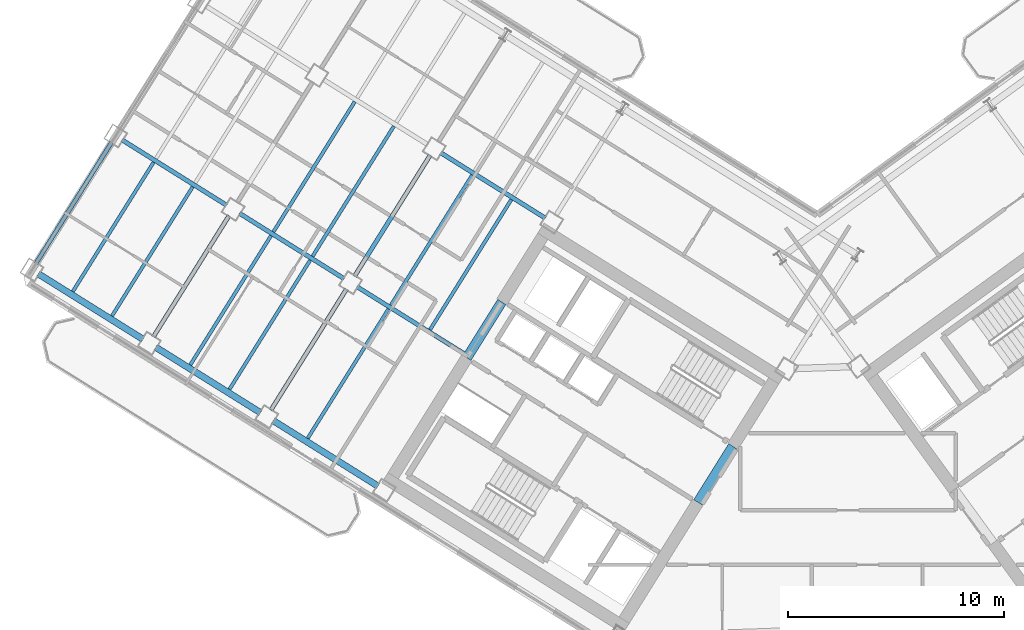
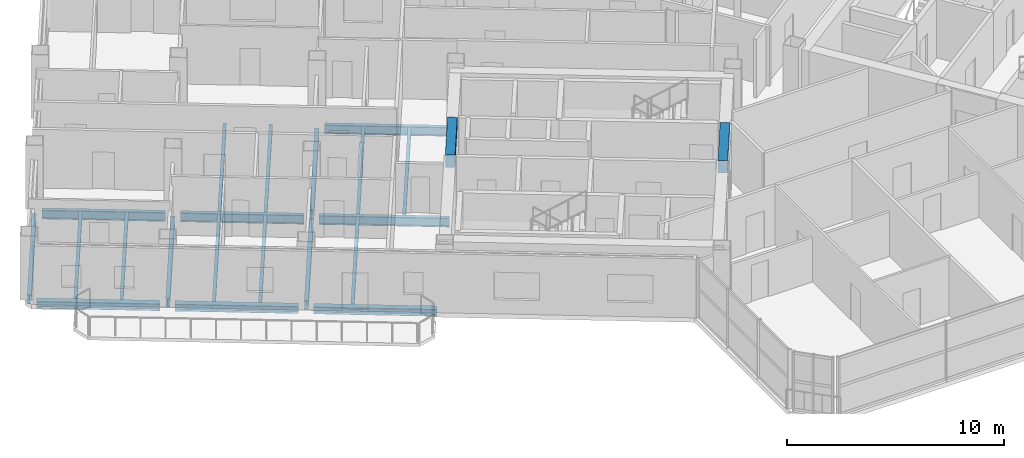
# One storey, part 5 of 21: 22 beams.
"""IFC4 building model written with IfcOpenShell, lengths in metres."""

from ifc_helpers import new_model, si_unit, direction, frame, origin, origin_2d, place, context, subcontext, project, spatial, rectangle, i_section, extrude, source, transform, mapped, material, material_profile, profile_set, type_object, element, save


model = new_model("IFC4")

# Units and contexts
model_context = context("Model", 3, precision=1e-05, world=origin(), true_north=direction((0.0, 1.0)))
body_context = subcontext(model_context, "Body", "Model", "MODEL_VIEW")
ifc_project = project(units=[si_unit("LENGTHUNIT", "METRE"), si_unit("AREAUNIT", "SQUARE_METRE"), si_unit("VOLUMEUNIT", "CUBIC_METRE"), si_unit("PLANEANGLEUNIT", "RADIAN"), si_unit("MASSUNIT", "GRAM", prefix="KILO")], contexts=[model_context])

# Site, building, storey
site_placement = place(None, origin())
site = spatial("IfcSite", under=ifc_project, at=site_placement, CompositionType="ELEMENT")
building_placement = place(site_placement, origin())
building = spatial("IfcBuilding", under=site, at=building_placement, Name="Tlacorven Tower", CompositionType="ELEMENT")
storey_placement = place(building_placement, frame((0.0, 0.0, 191.39990234375)))
storey = spatial("IfcBuildingStorey", under=building, at=storey_placement, Name="L48", CompositionType="ELEMENT", Elevation=191.39990234375)

# Beams
ifc_material_1 = material(Name="Concrete C60/75", Category="concrete")
ifc_material_profile_1 = material_profile(ifc_material_1, rectangle(XDim=0.449951171875, YDim=0.699951171875, at=origin_2d()), Name="RC 450X700")
ifc_profile_set_1 = profile_set([ifc_material_profile_1], Name="Concrete C60/75")
beam_type_1 = type_object("IfcBeamType", Name="BM-LNT-700", PredefinedType="LINTEL", material=ifc_profile_set_1)
shared_shape_1 = source(origin(), body_context, "Body", "SweptSolid", [
    extrude(rectangle(XDim=0.449951171875, YDim=0.699951171875, at=origin_2d()), origin(), (0.0, 0.0, 1.0), 3.050048828125),
])
beam_1_placement = place(storey_placement, frame((38.2998046875, 20.890625, 2.97021484375), z_axis=(-0.529984549635, -0.848007297815, 0.0), x_axis=(0.848007297815, -0.529984549635, 0.0)))
element("IfcBeam", 1, at=beam_1_placement, inside=storey, type_object=beam_type_1, Name="L48 W core coupling lintel beam E1", PredefinedType="LINTEL", context=body_context, shape_type="MappedRepresentation", body=[
    mapped(shared_shape_1, transform((0.0, 0.0, 0.0), scale=1.0)),
])
shared_shape_2 = source(origin(), body_context, "Body", "SweptSolid", [
    extrude(rectangle(XDim=0.449951171875, YDim=0.699951171875, at=origin_2d()), origin(), (0.0, 0.0, 1.0), 3.0498046875),
])
beam_2_placement = place(storey_placement, frame((27.622802734375, 27.562255859375, 2.97021484375), z_axis=(-0.529926983584, -0.848043272522, 0.0), x_axis=(0.848043272522, -0.529926983584, 0.0)))
element("IfcBeam", 2, at=beam_2_placement, inside=storey, type_object=beam_type_1, Name="L48 W core coupling lintel beam E2", PredefinedType="LINTEL", context=body_context, shape_type="MappedRepresentation", body=[
    mapped(shared_shape_2, transform((0.0, 0.0, 0.0), scale=1.0)),
])
ifc_material_2 = material(Name="Steel S355J2", Category="steel")
ifc_material_profile_2 = material_profile(ifc_material_2, i_section(OverallWidth=0.199951171875, OverallDepth=0.5, WebThickness=0.01025390625, FlangeThickness=0.01611328125, at=origin_2d()), Name="IPE 500")
ifc_profile_set_2 = profile_set([ifc_material_profile_2], Name="Steel S355J2")
beam_type_2 = type_object("IfcBeamType", Name="BM-TWR-500", PredefinedType="BEAM", material=ifc_profile_set_2)
shared_shape_3 = source(origin(), body_context, "Body", "SweptSolid", [
    extrude(i_section(OverallWidth=0.199951171875, OverallDepth=0.5, WebThickness=0.01025390625, FlangeThickness=0.01611328125, at=origin_2d()), origin(), (0.0, 0.0, 1.0), 6.010009765625),
])
beam_3_placement = place(storey_placement, frame((26.025634765625, 25.081787109375, -0.5), z_axis=(-0.848043944584, 0.529925908081, 0.0), x_axis=(-0.529925908081, -0.848043944584, 0.0)))
element("IfcBeam", 3, at=beam_3_placement, inside=storey, type_object=beam_type_2, Name="L48 beam BM-L48-WL3-3", PredefinedType="BEAM", context=body_context, shape_type="MappedRepresentation", body=[
    mapped(shared_shape_3, transform((0.0, 0.0, 0.0), scale=1.0)),
])
shared_shape_4 = source(origin(), body_context, "Body", "SweptSolid", [
    extrude(i_section(OverallWidth=0.199951171875, OverallDepth=0.5, WebThickness=0.01025390625, FlangeThickness=0.01611328125, at=origin_2d()), origin(), (0.0, 0.0, 1.0), 5.7001953125),
])
for number, where, z_axis, x_axis, name in (
    (4, (20.335205078125, 28.637451171875, -0.5), (-0.848036800771, 0.529937340199, 0.0), (-0.529937340199, -0.848036800771, 0.0), "L48 beam BM-L48-WL3-4"),
    (5, (14.90771484375, 32.029052734375, -0.5), (-0.848056048787, 0.529906537151, 0.0), (-0.529906537151, -0.848056048787, 0.0), "L48 beam BM-L48-WL3-5"),
):
    element("IfcBeam", number, at=place(storey_placement, frame(where, z_axis=z_axis, x_axis=x_axis)), inside=storey, type_object=beam_type_2, Name=name, PredefinedType="BEAM", context=body_context, shape_type="MappedRepresentation", body=[
        mapped(shared_shape_4, transform((0.0, 0.0, 0.0), scale=1.0)),
    ])
shared_shape_5 = source(origin(), body_context, "Body", "SweptSolid", [
    extrude(i_section(OverallWidth=0.199951171875, OverallDepth=0.5, WebThickness=0.01025390625, FlangeThickness=0.01611328125, at=origin_2d()), origin(), (0.0, 0.0, 1.0), 5.699951171875),
])
beam_4_placement = place(storey_placement, frame((29.631103515625, 31.436767578125, -0.5), z_axis=(-0.848044021115, 0.529925785607, 0.0), x_axis=(-0.529925785607, -0.848044021115, 0.0)))
element("IfcBeam", 6, at=beam_4_placement, inside=storey, type_object=beam_type_2, Name="L48 beam BM-L48-WL2-3", PredefinedType="BEAM", context=body_context, shape_type="MappedRepresentation", body=[
    mapped(shared_shape_5, transform((0.0, 0.0, 0.0), scale=1.0)),
])
shared_shape_6 = source(origin(), body_context, "Body", "SweptSolid", [
    extrude(i_section(OverallWidth=0.199951171875, OverallDepth=0.5, WebThickness=0.01025390625, FlangeThickness=0.01611328125, at=origin_2d()), origin(), (0.0, 0.0, 1.0), 6.599853515625),
])
beam_5_placement = place(storey_placement, frame((24.31494140625, 34.345947265625, -0.5), z_axis=(-0.529942412256, -0.848033631227, 0.0), x_axis=(0.848033631227, -0.529942412256, 0.0)))
element("IfcBeam", 7, at=beam_5_placement, inside=storey, type_object=beam_type_2, Name="L48 beam BM-L48-WT4-2", PredefinedType="BEAM", context=body_context, shape_type="MappedRepresentation", body=[
    mapped(shared_shape_6, transform((0.0, 0.0, 0.0), scale=1.0)),
])
shared_shape_7 = source(origin(), body_context, "Body", "SweptSolid", [
    extrude(i_section(OverallWidth=0.199951171875, OverallDepth=0.5, WebThickness=0.01025390625, FlangeThickness=0.01611328125, at=origin_2d()), origin(), (0.0, 0.0, 1.0), 6.60009765625),
])
for number, where, z_axis, x_axis, name in (
    (8, (20.446533203125, 28.1552734375, -0.5), (-0.529925788294, -0.848044019436, 0.0), (0.848044019436, -0.529925788294, 0.0), "L48 beam BM-L48-WT4-3"),
    (9, (15.01904296875, 31.546875, -0.5), (-0.529925788294, -0.848044019436, 0.0), (0.848044019436, -0.529925788294, 0.0), "L48 beam BM-L48-WT5-3"),
    (10, (9.591552734375, 34.938232421875, -0.5), (-0.529925788294, -0.848044019436, 0.0), (0.848044019436, -0.529925788294, 0.0), "L48 beam BM-L48-WT6-3"),
):
    element("IfcBeam", number, at=place(storey_placement, frame(where, z_axis=z_axis, x_axis=x_axis)), inside=storey, type_object=beam_type_2, Name=name, PredefinedType="BEAM", context=body_context, shape_type="MappedRepresentation", body=[
        mapped(shared_shape_7, transform((0.0, 0.0, 0.0), scale=1.0)),
    ])
ifc_material_profile_3 = material_profile(ifc_material_2, i_section(OverallWidth=0.159912109375, OverallDepth=0.330078125, WebThickness=0.007568359375, FlangeThickness=0.011474609375, at=origin_2d()), Name="IPE 330")
ifc_profile_set_3 = profile_set([ifc_material_profile_3], Name="Steel S355J2")
beam_type_3 = type_object("IfcBeamType", Name="BM-JST-330", PredefinedType="JOIST", material=ifc_profile_set_3)
shared_shape_8 = source(origin(), body_context, "Body", "SweptSolid", [
    extrude(i_section(OverallWidth=0.159912109375, OverallDepth=0.330078125, WebThickness=0.007568359375, FlangeThickness=0.011474609375, at=origin_2d()), origin(), (0.0, 0.0, 1.0), 7.0400390625),
])
for number, where, z_axis, x_axis, name in (
    (11, (18.767333984375, 29.493408203125, -0.414794921875), (-0.529930359501, -0.848041162963, 0.0), (0.848041162963, -0.529930359501, 0.0), "L48 beam BM-L48-WJ4-3-1"),
    (12, (16.9580078125, 30.6240234375, -0.414794921875), (-0.529930359501, -0.848041162963, 0.0), (0.848041162963, -0.529930359501, 0.0), "L48 beam BM-L48-WJ4-3-2"),
    (13, (13.33984375, 32.885009765625, -0.414794921875), (-0.529930359501, -0.848041162963, 0.0), (0.848041162963, -0.529930359501, 0.0), "L48 beam BM-L48-WJ5-3-1"),
):
    element("IfcBeam", number, at=place(storey_placement, frame(where, z_axis=z_axis, x_axis=x_axis)), inside=storey, type_object=beam_type_3, Name=name, PredefinedType="JOIST", context=body_context, shape_type="MappedRepresentation", body=[
        mapped(shared_shape_8, transform((0.0, 0.0, 0.0), scale=1.0)),
    ])
shared_shape_9 = source(origin(), body_context, "Body", "SweptSolid", [
    extrude(i_section(OverallWidth=0.159912109375, OverallDepth=0.330078125, WebThickness=0.007568359375, FlangeThickness=0.011474609375, at=origin_2d()), origin(), (0.0, 0.0, 1.0), 7.090087890625),
])
for number, where, z_axis, x_axis, name in (
    (14, (28.063232421875, 32.292724609375, -0.414794921875), (-0.529912270669, -0.84805246618, 0.0), (0.84805246618, -0.529912270669, 0.0), "L48 beam BM-L48-WJ3-2-1"),
    (15, (26.25390625, 33.42333984375, -0.414794921875), (-0.529912270669, -0.84805246618, 0.0), (0.84805246618, -0.529912270669, 0.0), "L48 beam BM-L48-WJ3-2-2"),
    (16, (22.6357421875, 35.684326171875, -0.414794921875), (-0.529937035031, -0.848036991471, 0.0), (0.848036991471, -0.529937035031, 0.0), "L48 beam BM-L48-WJ4-2-1"),
):
    element("IfcBeam", number, at=place(storey_placement, frame(where, z_axis=z_axis, x_axis=x_axis)), inside=storey, type_object=beam_type_3, Name=name, PredefinedType="JOIST", context=body_context, shape_type="MappedRepresentation", body=[
        mapped(shared_shape_9, transform((0.0, 0.0, 0.0), scale=1.0)),
    ])
shared_shape_10 = source(origin(), body_context, "Body", "SweptSolid", [
    extrude(i_section(OverallWidth=0.159912109375, OverallDepth=0.330078125, WebThickness=0.007568359375, FlangeThickness=0.011474609375, at=origin_2d()), origin(), (0.0, 0.0, 1.0), 7.08984375),
])
beam_6_placement = place(storey_placement, frame((20.826416015625, 36.814697265625, -0.414794921875), z_axis=(-0.529927745663, -0.848042796312, 0.0), x_axis=(0.848042796312, -0.529927745663, 0.0)))
element("IfcBeam", 17, at=beam_6_placement, inside=storey, type_object=beam_type_3, Name="L48 beam BM-L48-WJ4-2-2", PredefinedType="JOIST", context=body_context, shape_type="MappedRepresentation", body=[
    mapped(shared_shape_10, transform((0.0, 0.0, 0.0), scale=1.0)),
])
shared_shape_11 = source(origin(), body_context, "Body", "SweptSolid", [
    extrude(i_section(OverallWidth=0.159912109375, OverallDepth=0.330078125, WebThickness=0.007568359375, FlangeThickness=0.011474609375, at=origin_2d()), origin(), (0.0, 0.0, 1.0), 7.040283203125),
])
for number, where, z_axis, x_axis, name in (
    (18, (22.385498046875, 27.232666015625, -0.414794921875), (-0.529914775015, -0.848050901315, 0.0), (0.848050901315, -0.529914775015, 0.0), "L48 beam BM-L48-WJ3-3-2"),
    (19, (11.530517578125, 34.015625, -0.414794921875), (-0.529914775015, -0.848050901315, 0.0), (0.848050901315, -0.529914775015, 0.0), "L48 beam BM-L48-WJ5-3-2"),
):
    element("IfcBeam", number, at=place(storey_placement, frame(where, z_axis=z_axis, x_axis=x_axis)), inside=storey, type_object=beam_type_3, Name=name, PredefinedType="JOIST", context=body_context, shape_type="MappedRepresentation", body=[
        mapped(shared_shape_11, transform((0.0, 0.0, 0.0), scale=1.0)),
    ])
ifc_material_profile_4 = material_profile(ifc_material_2, i_section(OverallWidth=0.300048828125, OverallDepth=0.389892578125, WebThickness=0.010986328125, FlangeThickness=0.01904296875, at=origin_2d()), Name="HEA 400")
ifc_profile_set_4 = profile_set([ifc_material_profile_4], Name="Steel S355J2")
beam_type_4 = type_object("IfcBeamType", Name="BM-SPN-400", PredefinedType="SPANDREL", material=ifc_profile_set_4)
shared_shape_12 = source(origin(), body_context, "Body", "SweptSolid", [
    extrude(i_section(OverallWidth=0.300048828125, OverallDepth=0.389892578125, WebThickness=0.010986328125, FlangeThickness=0.01904296875, at=origin_2d()), origin(), (0.0, 0.0, 1.0), 5.699951171875),
])
beam_7_placement = place(storey_placement, frame((21.894287109375, 19.055419921875, -0.44482421875), z_axis=(-0.848044021115, 0.529925785607, 0.0), x_axis=(-0.529925785607, -0.848044021115, 0.0)))
element("IfcBeam", 20, at=beam_7_placement, inside=storey, type_object=beam_type_4, Name="L48 beam BM-L48-WL4-3", PredefinedType="SPANDREL", context=body_context, shape_type="MappedRepresentation", body=[
    mapped(shared_shape_12, transform((0.0, 0.0, 0.0), scale=1.0)),
])
shared_shape_13 = source(origin(), body_context, "Body", "SweptSolid", [
    extrude(i_section(OverallWidth=0.300048828125, OverallDepth=0.389892578125, WebThickness=0.010986328125, FlangeThickness=0.01904296875, at=origin_2d()), origin(), (0.0, 0.0, 1.0), 5.7001953125),
])
for number, where, z_axis, x_axis, name in (
    (21, (16.466796875, 22.44677734375, -0.44482421875), (-0.848056048787, 0.529906537151, 0.0), (-0.529906537151, -0.848056048787, 0.0), "L48 beam BM-L48-WL4-4"),
    (22, (11.039306640625, 25.83837890625, -0.44482421875), (-0.848056048787, 0.529906537151, 0.0), (-0.529906537151, -0.848056048787, 0.0), "L48 beam BM-L48-WL4-5"),
):
    element("IfcBeam", number, at=place(storey_placement, frame(where, z_axis=z_axis, x_axis=x_axis)), inside=storey, type_object=beam_type_4, Name=name, PredefinedType="SPANDREL", context=body_context, shape_type="MappedRepresentation", body=[
        mapped(shared_shape_13, transform((0.0, 0.0, 0.0), scale=1.0)),
    ])

save(model, "model.ifc")
